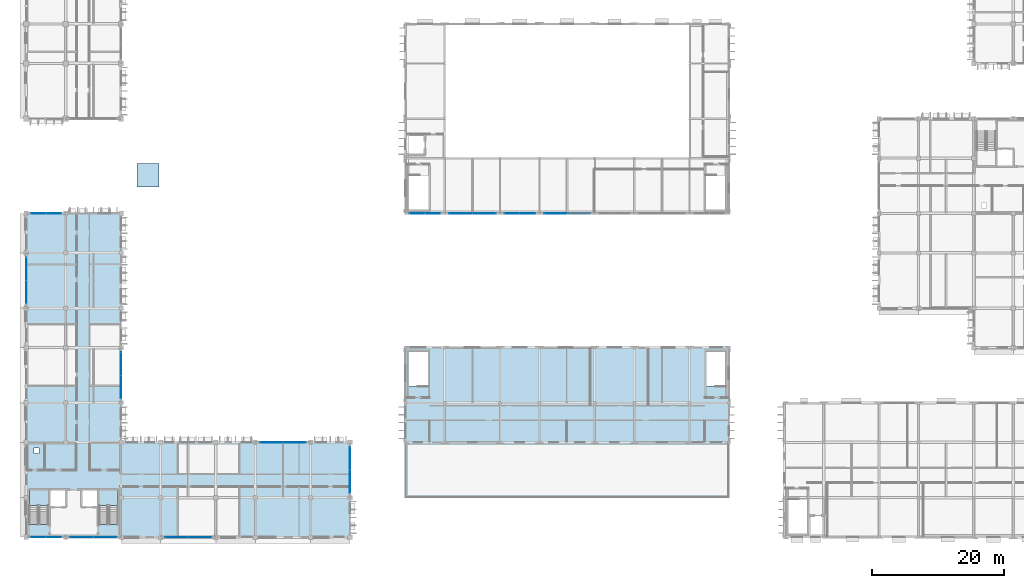
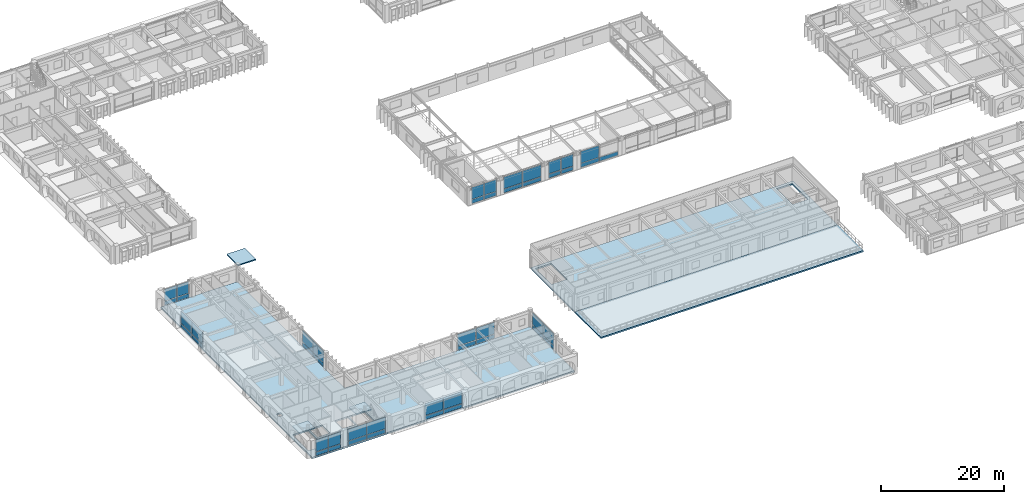
# One storey, part 42 of 88: 47 plates, 6 slabs, 14 elements without a shape of their own.
"""IFC4 building model written with IfcOpenShell, lengths in metres."""

import ifcopenshell
import ifcopenshell.guid

model = None  # the IFC model being written
_history = None  # IfcOwnerHistory: only IFC2X3 demands one
_inside = {}  # id of a spatial element -> (the spatial element, [elements in it])
_under = {}  # id of a project, library or spatial element -> (it, [spatial elements below it])
_declared = {}  # id of a project -> (the project, [libraries it declares])
_typed = {}  # id of a type object -> (the type object, [elements of that type])
_made_of = {}  # id of a material, layer set ... -> (it, [elements and type objects made of it])


def new_model(schema):
    """Start an empty IFC model of exactly this schema.

    Asked for "IFC4X3", IfcOpenShell would pick the latest addendum, in which some entities
    have other attributes; the version numbers below select the first issue.
    IFC2X3 requires an IfcOwnerHistory on every rooted entity: one is made here for all.
    """
    global model, _history
    if schema == "IFC4X3":
        model = ifcopenshell.file(schema_version=(4, 3, 0, 0))
    else:
        model = ifcopenshell.file(schema=schema)
    _inside.clear()
    _under.clear()
    _declared.clear()
    _typed.clear()
    _made_of.clear()
    _history = None
    if model.schema == "IFC2X3":
        org = make("IfcOrganization", Name="unknown")
        user = make(
            "IfcPersonAndOrganization",
            ThePerson=make("IfcPerson", FamilyName="unknown"),
            TheOrganization=org,
        )
        app = make(
            "IfcApplication",
            ApplicationDeveloper=org,
            Version="unknown",
            ApplicationFullName="unknown",
            ApplicationIdentifier="unknown",
        )
        _history = make(
            "IfcOwnerHistory",
            OwningUser=user,
            OwningApplication=app,
            ChangeAction="ADDED",
            CreationDate=0,
        )
    return model


def make(cls, **values):
    """One entity of the class cls with the attributes given. An attribute that is None is left unset."""
    return model.create_entity(
        cls, **{name: value for name, value in values.items() if value is not None}
    )


def rooted(cls, **values):
    """An entity with a GlobalId (a new one), such as an element, a storey or a relation."""
    return make(cls, GlobalId=ifcopenshell.guid.new(), OwnerHistory=_history, **values)


def si_unit(unit_type, name, prefix=None):
    """IfcSIUnit, for example si_unit("LENGTHUNIT", "METRE", prefix="MILLI")."""
    return make("IfcSIUnit", UnitType=unit_type, Prefix=prefix, Name=name)


def assignment(units):
    """IfcUnitAssignment: the units of a project."""
    return None if units is None else make("IfcUnitAssignment", Units=units)


def point(xyz):
    """IfcCartesianPoint."""
    return None if xyz is None else make("IfcCartesianPoint", Coordinates=xyz)


def direction(xyz):
    """IfcDirection."""
    return None if xyz is None else make("IfcDirection", DirectionRatios=xyz)


def frame(location, z_axis=None, x_axis=None):
    """IfcAxis2Placement3D, a coordinate frame: its origin and axes. An axis left out is left unset."""
    return make(
        "IfcAxis2Placement3D",
        Location=point(location),
        Axis=direction(z_axis),
        RefDirection=direction(x_axis),
    )


def frame_2d(location, x_axis=None):
    """IfcAxis2Placement2D, a coordinate frame in the plane: its origin and x axis."""
    return make(
        "IfcAxis2Placement2D", Location=point(location), RefDirection=direction(x_axis)
    )


def origin():
    """The frame at (0, 0, 0) with its axes left unset."""
    return frame((0.0, 0.0, 0.0))


def origin_2d():
    """The frame at (0, 0) in the plane with its x axis left unset."""
    return frame_2d((0.0, 0.0))


def place(relative_to, where):
    """IfcLocalPlacement: puts the frame where relative to a parent placement (None: the world)."""
    return make(
        "IfcLocalPlacement", PlacementRelTo=relative_to, RelativePlacement=where
    )


def context(
    kind, dimensions, precision=None, world=None, true_north=None, identifier=None
):
    """IfcGeometricRepresentationContext, for example the 3D "Model" context."""
    return make(
        "IfcGeometricRepresentationContext",
        ContextIdentifier=identifier,
        ContextType=kind,
        CoordinateSpaceDimension=dimensions,
        Precision=precision,
        WorldCoordinateSystem=world,
        TrueNorth=true_north,
    )


def subcontext(parent, identifier, kind, view, scale=None):
    """IfcGeometricRepresentationSubContext, for example "Body" below "Model"."""
    return make(
        "IfcGeometricRepresentationSubContext",
        ContextIdentifier=identifier,
        ContextType=kind,
        ParentContext=parent,
        TargetScale=scale,
        TargetView=view,
    )


def project(units=None, contexts=None):
    """IfcProject with its units and contexts."""
    return rooted(
        "IfcProject",
        Name="project",
        RepresentationContexts=contexts,
        UnitsInContext=assignment(units),
    )


def spatial(cls, under=None, at=None, **own):
    """A site, building, storey or space (cls), placed at a placement, below another one or the project."""
    s = rooted(cls, ObjectPlacement=at, **own)
    if under is not None:
        _under.setdefault(under.id(), (under, []))[1].append(s)
    return s


def polyline(points):
    """IfcPolyline through the points."""
    return make("IfcPolyline", Points=[point(p) for p in points])


def profile(cls, at=None, kind="AREA", **sizes):
    """A parametric profile (cls). Its sizes go by their IFC names, for example OverallWidth=200.0."""
    return make(cls, ProfileType=kind, Position=at, **sizes)


def rectangle(**sizes):
    """IfcRectangleProfileDef."""
    return profile("IfcRectangleProfileDef", **sizes)


def outline(outer, holes=None, kind="AREA"):
    """IfcArbitraryClosedProfileDef: a profile drawn as a closed curve; with holes, ...WithVoids."""
    if holes is None:
        return make("IfcArbitraryClosedProfileDef", ProfileType=kind, OuterCurve=outer)
    return make(
        "IfcArbitraryProfileDefWithVoids",
        ProfileType=kind,
        OuterCurve=outer,
        InnerCurves=holes,
    )


def extrude(swept, where, along, depth):
    """IfcExtrudedAreaSolid: the profile swept, set in the frame where, extruded along a direction by depth."""
    return make(
        "IfcExtrudedAreaSolid",
        SweptArea=swept,
        Position=where,
        ExtrudedDirection=direction(along),
        Depth=depth,
    )


def shape(context_of_items, identifier, shape_type, items):
    """IfcShapeRepresentation: the items that make up one representation, for example the "Body"."""
    return make(
        "IfcShapeRepresentation",
        ContextOfItems=context_of_items,
        RepresentationIdentifier=identifier,
        RepresentationType=shape_type,
        Items=items,
    )


def material(Name=None, Category=None):
    """IfcMaterial."""
    return make("IfcMaterial", Name=Name, Category=Category)


def layer(
    of_material, thickness, ventilated=None, Name=None, Category=None, Priority=None
):
    """IfcMaterialLayer: one layer of a wall or slab, of a material (None: an air gap)."""
    return make(
        "IfcMaterialLayer",
        Material=of_material,
        LayerThickness=thickness,
        IsVentilated=ventilated,
        Name=Name,
        Category=Category,
        Priority=Priority,
    )


def layer_set(layers, Name=None):
    """IfcMaterialLayerSet."""
    return make("IfcMaterialLayerSet", MaterialLayers=layers, LayerSetName=Name)


def made_of(thing, what):
    """Note that an element or type object is made of a material, layer set ...; save() writes the relation."""
    if what is not None:
        _made_of.setdefault(what.id(), (what, []))[1].append(thing)
    return thing


def type_object(cls, material=None, **own):
    """A type object (cls), such as IfcWallType, which elements share."""
    return made_of(rooted(cls, **own), material)


def element(
    cls,
    number,
    at=None,
    inside=None,
    cuts=None,
    type_object=None,
    material=None,
    context=None,
    identifier="Body",
    shape_type=None,
    held_by="IfcProductDefinitionShape",
    body=None,
    shapes=None,
    **own,
):
    """One element of the class cls, such as IfcWall. Its Tag is "e" and its number.

    at: its placement. inside: the storey or other place that contains it. cuts: it is an
    opening in that element (IfcRelVoidsElement). A single representation is given by context,
    identifier, shape_type and body (its items); several are given by shapes. held_by: the class
    of the entity that holds the representations. save() writes the other relations.
    """
    e = rooted(cls, Tag="e%d" % number, ObjectPlacement=at, **own)
    if body is not None:
        shapes = [shape(context, identifier, shape_type, body)]
    if shapes is not None:
        e.Representation = make(held_by, Representations=shapes)
    if inside is not None:
        _inside.setdefault(inside.id(), (inside, []))[1].append(e)
    if cuts is not None:
        rooted(
            "IfcRelVoidsElement", RelatingBuildingElement=cuts, RelatedOpeningElement=e
        )
    if type_object is not None:
        _typed.setdefault(type_object.id(), (type_object, []))[1].append(e)
    return made_of(e, material)


def aggregate(whole, parts):
    """IfcRelAggregates: a whole, such as a stair, and the parts it consists of."""
    return rooted("IfcRelAggregates", RelatingObject=whole, RelatedObjects=parts)


def save(model, path):
    """Write the relations noted so far, then the file.

    IfcRelAggregates (storeys below a building ...), IfcRelContainedInSpatialStructure (elements
    in a storey), IfcRelDefinesByType, IfcRelAssociatesMaterial and IfcRelDeclares: one each for
    every whole, place, type object, material and project.
    """
    for whole, parts in _under.values():
        aggregate(whole, parts)
    for where, things in _inside.values():
        rooted(
            "IfcRelContainedInSpatialStructure",
            RelatedElements=things,
            RelatingStructure=where,
        )
    for kind, things in _typed.values():
        rooted("IfcRelDefinesByType", RelatedObjects=things, RelatingType=kind)
    for what, things in _made_of.values():
        rooted("IfcRelAssociatesMaterial", RelatedObjects=things, RelatingMaterial=what)
    for by, libraries in _declared.values():
        rooted("IfcRelDeclares", RelatingContext=by, RelatedDefinitions=libraries)
    model.write(path)


model = new_model("IFC4")

# Units and contexts
model_context = context("Model", 3, precision=1e-05, world=origin(), true_north=direction((0.0, 1.0)))
body_context = subcontext(model_context, "Body", "Model", "MODEL_VIEW")
ifc_project = project(units=[si_unit("LENGTHUNIT", "METRE"), si_unit("AREAUNIT", "SQUARE_METRE"), si_unit("VOLUMEUNIT", "CUBIC_METRE"), si_unit("PLANEANGLEUNIT", "RADIAN"), si_unit("MASSUNIT", "GRAM", prefix="KILO"), si_unit("THERMODYNAMICTEMPERATUREUNIT", "KELVIN")], contexts=[model_context])

# Site, building, storey
site_placement = place(None, origin())
site = spatial("IfcSite", under=ifc_project, at=site_placement, CompositionType="ELEMENT")
building_placement = place(site_placement, origin())
building = spatial("IfcBuilding", under=site, at=building_placement, Name="Thalorik Housing Commons", CompositionType="ELEMENT")
storey_placement = place(building_placement, frame((0.0, 0.0, 4.5)))
storey = spatial("IfcBuildingStorey", under=building, at=storey_placement, Name="L01", CompositionType="ELEMENT", Elevation=4.5)

# Curtain wall, plates
ifc_material_1 = material(Name="Anodised aluminium and solar-control low-E glass", Category="aluminium")
curtain_wall_type_1 = type_object("IfcCurtainWallType", Name="ARC-CW-LOUNGE", PredefinedType="USERDEFINED", material=ifc_material_1)
curtain_wall_1_placement = place(storey_placement, origin())
curtain_wall_1 = element("IfcCurtainWall", 1, at=curtain_wall_1_placement, inside=storey, type_object=curtain_wall_type_1, Name="L01 Curtain Wall CW-RES-L01-C-127", ObjectType="CURTAIN WALL", PredefinedType="USERDEFINED")
ifc_material_2 = material(Name="Cobalt blue enamelled aluminium spandrel panel", Category="aluminium")
ifc_layer_1 = layer(ifc_material_2, 0.0458984375, Name="Cobalt blue enamelled aluminium spandrel panel", Category="aluminium")
ifc_layer_set_1 = layer_set([ifc_layer_1], Name="Cobalt blue enamelled aluminium spandrel panel")
plate_type_1 = type_object("IfcPlateType", Name="ARC-CP-BLU-46", PredefinedType="CURTAIN_PANEL", material=ifc_layer_set_1)
plate_1_placement = place(storey_placement, frame((22.800048828125, 31.25, 0.080078125), z_axis=(0.0, 0.0, 1.0), x_axis=(0.0, 1.0, 0.0)))
plate_1 = element("IfcPlate", 2, at=plate_1_placement, type_object=plate_type_1, Name="CW-RES-L01-C-127 Spandrel Panel 1", PredefinedType="CURTAIN_PANEL", context=body_context, shape_type="SweptSolid", body=[
    extrude(rectangle(XDim=3.43994140625, YDim=0.0458984375, at=origin_2d()), origin(), (0.0, 0.0, 1.0), 0.760009765625),
])
plate_2_placement = place(storey_placement, frame((22.800048828125, 34.75, 0.080078125), z_axis=(0.0, 0.0, 1.0), x_axis=(0.0, 1.0, 0.0)))
plate_2 = element("IfcPlate", 3, at=plate_2_placement, type_object=plate_type_1, Name="CW-RES-L01-C-127 Spandrel Panel 2", PredefinedType="CURTAIN_PANEL", context=body_context, shape_type="SweptSolid", body=[
    extrude(rectangle(XDim=3.43994140625, YDim=0.0458984375, at=origin_2d()), origin(), (0.0, 0.0, 1.0), 0.760009765625),
])

curtain_wall_2_placement = place(storey_placement, origin())
curtain_wall_2 = element("IfcCurtainWall", 4, at=curtain_wall_2_placement, inside=storey, type_object=curtain_wall_type_1, Name="L01 Curtain Wall CW-RES-L01-C-133", ObjectType="CURTAIN WALL", PredefinedType="USERDEFINED")
plate_3_placement = place(storey_placement, frame((57.60009765625, 16.85009765625, 0.080078125), z_axis=(0.0, 0.0, 1.0), x_axis=(0.0, 1.0, 0.0)))
plate_3 = element("IfcPlate", 5, at=plate_3_placement, type_object=plate_type_1, Name="CW-RES-L01-C-133 Spandrel Panel 1", PredefinedType="CURTAIN_PANEL", context=body_context, shape_type="SweptSolid", body=[
    extrude(rectangle(XDim=3.43994140625, YDim=0.0458984375, at=origin_2d()), origin(), (0.0, 0.0, 1.0), 0.760009765625),
])
plate_4_placement = place(storey_placement, frame((57.60009765625, 20.35009765625, 0.080078125), z_axis=(0.0, 0.0, 1.0), x_axis=(0.0, 1.0, 0.0)))
plate_4 = element("IfcPlate", 6, at=plate_4_placement, type_object=plate_type_1, Name="CW-RES-L01-C-133 Spandrel Panel 2", PredefinedType="CURTAIN_PANEL", context=body_context, shape_type="SweptSolid", body=[
    extrude(rectangle(XDim=3.43994140625, YDim=0.0458984375, at=origin_2d()), origin(), (0.0, 0.0, 1.0), 0.760009765625),
])

curtain_wall_type_2 = type_object("IfcCurtainWallType", Name="ARC-CW-CIVIC", PredefinedType="USERDEFINED", material=ifc_material_1)
curtain_wall_3_placement = place(storey_placement, origin())
curtain_wall_3 = element("IfcCurtainWall", 7, at=curtain_wall_3_placement, inside=storey, type_object=curtain_wall_type_2, Name="L01 Curtain Wall CW-HALL-L01-214", ObjectType="CURTAIN WALL", PredefinedType="USERDEFINED")
plate_5_placement = place(storey_placement, frame((74.425048828125, 57.60009765625, 0.080078125), z_axis=(0.0, 0.0, 1.0), x_axis=(1.0, 0.0, 0.0)))
plate_5 = element("IfcPlate", 8, at=plate_5_placement, type_object=plate_type_1, Name="CW-HALL-L01-214 Spandrel Panel 1", PredefinedType="CURTAIN_PANEL", context=body_context, shape_type="SweptSolid", body=[
    extrude(rectangle(XDim=3.489990234375, YDim=0.0458984375, at=origin_2d()), origin(), (0.0, 0.0, 1.0), 0.760009765625),
])
plate_6_placement = place(storey_placement, frame((77.97509765625, 57.60009765625, 0.080078125), z_axis=(0.0, 0.0, 1.0), x_axis=(1.0, 0.0, 0.0)))
plate_6 = element("IfcPlate", 9, at=plate_6_placement, type_object=plate_type_1, Name="CW-HALL-L01-214 Spandrel Panel 2", PredefinedType="CURTAIN_PANEL", context=body_context, shape_type="SweptSolid", body=[
    extrude(rectangle(XDim=3.489990234375, YDim=0.0458984375, at=origin_2d()), origin(), (0.0, 0.0, 1.0), 0.760009765625),
])

# Plate
ifc_material_3 = material(Name="Double solar-control low-E glass", Category="glass")
ifc_layer_2 = layer(ifc_material_3, 0.028076171875, Name="Double solar-control low-E glass", Category="glass")
ifc_layer_set_2 = layer_set([ifc_layer_2], Name="Double solar-control low-E glass")
plate_type_2 = type_object("IfcPlateType", Name="ARC-CP-GLZ-28", PredefinedType="CURTAIN_PANEL", material=ifc_layer_set_2)
plate_7_placement = place(storey_placement, frame((22.800048828125, 31.25, 0.919921875), z_axis=(0.0, 0.0, 1.0), x_axis=(0.0, 1.0, 0.0)))
plate_7 = element("IfcPlate", 10, at=plate_7_placement, type_object=plate_type_2, Name="CW-RES-L01-C-127 Vision Panel 1", PredefinedType="CURTAIN_PANEL", context=body_context, shape_type="SweptSolid", body=[
    extrude(rectangle(XDim=3.43994140625, YDim=0.028076171875, at=origin_2d()), origin(), (0.0, 0.0, 1.0), 2.340087890625),
])

plate_8_placement = place(storey_placement, frame((22.800048828125, 34.75, 0.919921875), z_axis=(0.0, 0.0, 1.0), x_axis=(0.0, 1.0, 0.0)))
plate_8 = element("IfcPlate", 11, at=plate_8_placement, type_object=plate_type_2, Name="CW-RES-L01-C-127 Vision Panel 2", PredefinedType="CURTAIN_PANEL", context=body_context, shape_type="SweptSolid", body=[
    extrude(rectangle(XDim=3.43994140625, YDim=0.028076171875, at=origin_2d()), origin(), (0.0, 0.0, 1.0), 2.340087890625),
])

aggregate(curtain_wall_1, [plate_1, plate_7, plate_2, plate_8])

# Curtain wall, plates
curtain_wall_4_placement = place(storey_placement, origin())
curtain_wall_4 = element("IfcCurtainWall", 12, at=curtain_wall_4_placement, inside=storey, type_object=curtain_wall_type_1, Name="L01 Curtain Wall CW-RES-L01-C-128", ObjectType="CURTAIN WALL", PredefinedType="USERDEFINED")
plate_9_placement = place(storey_placement, frame((12.550048828125, 57.60009765625, 0.919921875), z_axis=(0.0, 0.0, 1.0), x_axis=(-1.0, 0.0, 0.0)))
plate_9 = element("IfcPlate", 13, at=plate_9_placement, type_object=plate_type_2, Name="CW-RES-L01-C-128 Vision Panel 1", PredefinedType="CURTAIN_PANEL", context=body_context, shape_type="SweptSolid", body=[
    extrude(rectangle(XDim=2.239990234375, YDim=0.028076171875, at=origin_2d()), origin(), (0.0, 0.0, 1.0), 2.340087890625),
])
plate_10_placement = place(storey_placement, frame((10.25, 57.60009765625, 0.919921875), z_axis=(0.0, 0.0, 1.0), x_axis=(-1.0, 0.0, 0.0)))
plate_10 = element("IfcPlate", 14, at=plate_10_placement, type_object=plate_type_2, Name="CW-RES-L01-C-128 Vision Panel 2", PredefinedType="CURTAIN_PANEL", context=body_context, shape_type="SweptSolid", body=[
    extrude(rectangle(XDim=2.239990234375, YDim=0.028076171875, at=origin_2d()), origin(), (0.0, 0.0, 1.0), 2.340087890625),
])

curtain_wall_5_placement = place(storey_placement, origin())
curtain_wall_5 = element("IfcCurtainWall", 15, at=curtain_wall_5_placement, inside=storey, type_object=curtain_wall_type_1, Name="L01 Curtain Wall CW-RES-L01-C-129", ObjectType="CURTAIN WALL", PredefinedType="USERDEFINED")
plate_11_placement = place(storey_placement, frame((8.39990234375, 49.14990234375, 0.919921875), z_axis=(0.0, 0.0, 1.0), x_axis=(0.0, -1.0, 0.0)))
plate_11 = element("IfcPlate", 16, at=plate_11_placement, type_object=plate_type_2, Name="CW-RES-L01-C-129 Vision Panel 1", PredefinedType="CURTAIN_PANEL", context=body_context, shape_type="SweptSolid", body=[
    extrude(rectangle(XDim=3.43994140625, YDim=0.028076171875, at=origin_2d()), origin(), (0.0, 0.0, 1.0), 2.340087890625),
])
plate_12_placement = place(storey_placement, frame((8.39990234375, 45.64990234375, 0.919921875), z_axis=(0.0, 0.0, 1.0), x_axis=(0.0, -1.0, 0.0)))
plate_12 = element("IfcPlate", 17, at=plate_12_placement, type_object=plate_type_2, Name="CW-RES-L01-C-129 Vision Panel 2", PredefinedType="CURTAIN_PANEL", context=body_context, shape_type="SweptSolid", body=[
    extrude(rectangle(XDim=3.43994140625, YDim=0.028076171875, at=origin_2d()), origin(), (0.0, 0.0, 1.0), 2.340087890625),
])

curtain_wall_type_3 = type_object("IfcCurtainWallType", Name="ARC-CW-CORE", PredefinedType="USERDEFINED", material=ifc_material_1)
curtain_wall_6_placement = place(storey_placement, origin())
curtain_wall_6 = element("IfcCurtainWall", 18, at=curtain_wall_6_placement, inside=storey, type_object=curtain_wall_type_3, Name="L01 Curtain Wall CW-CORE-L01-C-130", ObjectType="CURTAIN WALL", PredefinedType="USERDEFINED")
plate_13_placement = place(storey_placement, frame((10.22509765625, 8.39990234375, 0.919921875), z_axis=(0.0, 0.0, 1.0), x_axis=(1.0, 0.0, 0.0)))
plate_13 = element("IfcPlate", 19, at=plate_13_placement, type_object=plate_type_2, Name="CW-CORE-L01-C-130 Vision Panel 1", PredefinedType="CURTAIN_PANEL", context=body_context, shape_type="SweptSolid", body=[
    extrude(rectangle(XDim=2.2900390625, YDim=0.028076171875, at=origin_2d()), origin(), (0.0, 0.0, 1.0), 2.340087890625),
])
plate_14_placement = place(storey_placement, frame((12.574951171875, 8.39990234375, 0.919921875), z_axis=(0.0, 0.0, 1.0), x_axis=(1.0, 0.0, 0.0)))
plate_14 = element("IfcPlate", 20, at=plate_14_placement, type_object=plate_type_2, Name="CW-CORE-L01-C-130 Vision Panel 2", PredefinedType="CURTAIN_PANEL", context=body_context, shape_type="SweptSolid", body=[
    extrude(rectangle(XDim=2.2900390625, YDim=0.028076171875, at=origin_2d()), origin(), (0.0, 0.0, 1.0), 2.340087890625),
])

curtain_wall_7_placement = place(storey_placement, origin())
curtain_wall_7 = element("IfcCurtainWall", 21, at=curtain_wall_7_placement, inside=storey, type_object=curtain_wall_type_3, Name="L01 Curtain Wall CW-CORE-L01-C-131", ObjectType="CURTAIN WALL", PredefinedType="USERDEFINED")
plate_15_placement = place(storey_placement, frame((16.824951171875, 8.39990234375, 0.919921875), z_axis=(0.0, 0.0, 1.0), x_axis=(1.0, 0.0, 0.0)))
plate_15 = element("IfcPlate", 22, at=plate_15_placement, type_object=plate_type_2, Name="CW-CORE-L01-C-131 Vision Panel 1", PredefinedType="CURTAIN_PANEL", context=body_context, shape_type="SweptSolid", body=[
    extrude(rectangle(XDim=3.489990234375, YDim=0.028076171875, at=origin_2d()), origin(), (0.0, 0.0, 1.0), 2.340087890625),
])
plate_16_placement = place(storey_placement, frame((20.375, 8.39990234375, 0.919921875), z_axis=(0.0, 0.0, 1.0), x_axis=(1.0, 0.0, 0.0)))
plate_16 = element("IfcPlate", 23, at=plate_16_placement, type_object=plate_type_2, Name="CW-CORE-L01-C-131 Vision Panel 2", PredefinedType="CURTAIN_PANEL", context=body_context, shape_type="SweptSolid", body=[
    extrude(rectangle(XDim=3.489990234375, YDim=0.028076171875, at=origin_2d()), origin(), (0.0, 0.0, 1.0), 2.340087890625),
])

curtain_wall_8_placement = place(storey_placement, origin())
curtain_wall_8 = element("IfcCurtainWall", 24, at=curtain_wall_8_placement, inside=storey, type_object=curtain_wall_type_1, Name="L01 Curtain Wall CW-RES-L01-C-132", ObjectType="CURTAIN WALL", PredefinedType="USERDEFINED")
plate_17_placement = place(storey_placement, frame((31.25, 8.39990234375, 0.919921875), z_axis=(0.0, 0.0, 1.0), x_axis=(1.0, 0.0, 0.0)))
plate_17 = element("IfcPlate", 25, at=plate_17_placement, type_object=plate_type_2, Name="CW-RES-L01-C-132 Vision Panel 1", PredefinedType="CURTAIN_PANEL", context=body_context, shape_type="SweptSolid", body=[
    extrude(rectangle(XDim=3.43994140625, YDim=0.028076171875, at=origin_2d()), origin(), (0.0, 0.0, 1.0), 2.340087890625),
])
plate_18_placement = place(storey_placement, frame((34.75, 8.39990234375, 0.919921875), z_axis=(0.0, 0.0, 1.0), x_axis=(1.0, 0.0, 0.0)))
plate_18 = element("IfcPlate", 26, at=plate_18_placement, type_object=plate_type_2, Name="CW-RES-L01-C-132 Vision Panel 2", PredefinedType="CURTAIN_PANEL", context=body_context, shape_type="SweptSolid", body=[
    extrude(rectangle(XDim=3.43994140625, YDim=0.028076171875, at=origin_2d()), origin(), (0.0, 0.0, 1.0), 2.340087890625),
])

# Plate
plate_19_placement = place(storey_placement, frame((57.60009765625, 16.85009765625, 0.919921875), z_axis=(0.0, 0.0, 1.0), x_axis=(0.0, 1.0, 0.0)))
plate_19 = element("IfcPlate", 27, at=plate_19_placement, type_object=plate_type_2, Name="CW-RES-L01-C-133 Vision Panel 1", PredefinedType="CURTAIN_PANEL", context=body_context, shape_type="SweptSolid", body=[
    extrude(rectangle(XDim=3.43994140625, YDim=0.028076171875, at=origin_2d()), origin(), (0.0, 0.0, 1.0), 2.340087890625),
])

plate_20_placement = place(storey_placement, frame((57.60009765625, 20.35009765625, 0.919921875), z_axis=(0.0, 0.0, 1.0), x_axis=(0.0, 1.0, 0.0)))
plate_20 = element("IfcPlate", 28, at=plate_20_placement, type_object=plate_type_2, Name="CW-RES-L01-C-133 Vision Panel 2", PredefinedType="CURTAIN_PANEL", context=body_context, shape_type="SweptSolid", body=[
    extrude(rectangle(XDim=3.43994140625, YDim=0.028076171875, at=origin_2d()), origin(), (0.0, 0.0, 1.0), 2.340087890625),
])

aggregate(curtain_wall_2, [plate_3, plate_19, plate_4, plate_20])

# Curtain wall, plates
curtain_wall_9_placement = place(storey_placement, origin())
curtain_wall_9 = element("IfcCurtainWall", 29, at=curtain_wall_9_placement, inside=storey, type_object=curtain_wall_type_1, Name="L01 Curtain Wall CW-RES-L01-C-134", ObjectType="CURTAIN WALL", PredefinedType="USERDEFINED")
plate_21_placement = place(storey_placement, frame((49.14990234375, 22.800048828125, 0.919921875), z_axis=(0.0, 0.0, 1.0), x_axis=(-1.0, 0.0, 0.0)))
plate_21 = element("IfcPlate", 30, at=plate_21_placement, type_object=plate_type_2, Name="CW-RES-L01-C-134 Vision Panel 1", PredefinedType="CURTAIN_PANEL", context=body_context, shape_type="SweptSolid", body=[
    extrude(rectangle(XDim=3.43994140625, YDim=0.028076171875, at=origin_2d()), origin(), (0.0, 0.0, 1.0), 2.340087890625),
])
plate_22_placement = place(storey_placement, frame((45.64990234375, 22.800048828125, 0.919921875), z_axis=(0.0, 0.0, 1.0), x_axis=(-1.0, 0.0, 0.0)))
plate_22 = element("IfcPlate", 31, at=plate_22_placement, type_object=plate_type_2, Name="CW-RES-L01-C-134 Vision Panel 2", PredefinedType="CURTAIN_PANEL", context=body_context, shape_type="SweptSolid", body=[
    extrude(rectangle(XDim=3.43994140625, YDim=0.028076171875, at=origin_2d()), origin(), (0.0, 0.0, 1.0), 2.340087890625),
])

curtain_wall_10_placement = place(storey_placement, origin())
curtain_wall_10 = element("IfcCurtainWall", 32, at=curtain_wall_10_placement, inside=storey, type_object=curtain_wall_type_2, Name="L01 Curtain Wall CW-HALL-L01-213", ObjectType="CURTAIN WALL", PredefinedType="USERDEFINED")
ifc_material_4 = material(Name="Acoustic laminated solar-control glass", Category="glass")
ifc_layer_3 = layer(ifc_material_4, 0.031982421875, Name="Acoustic laminated solar-control glass", Category="glass")
ifc_layer_set_3 = layer_set([ifc_layer_3], Name="Acoustic laminated solar-control glass")
plate_type_3 = type_object("IfcPlateType", Name="ARC-CP-GLZ-32", PredefinedType="CURTAIN_PANEL", material=ifc_layer_set_3)
plate_23_placement = place(storey_placement, frame((67.824951171875, 57.60009765625, 0.919921875), z_axis=(0.0, 0.0, 1.0), x_axis=(1.0, 0.0, 0.0)))
plate_23 = element("IfcPlate", 33, at=plate_23_placement, type_object=plate_type_3, Name="CW-HALL-L01-213 Vision Panel 1", PredefinedType="CURTAIN_PANEL", context=body_context, shape_type="SweptSolid", body=[
    extrude(rectangle(XDim=2.2900390625, YDim=0.031982421875, at=origin_2d()), origin(), (0.0, 0.0, 1.0), 2.340087890625),
])
plate_24_placement = place(storey_placement, frame((70.175048828125, 57.60009765625, 0.919921875), z_axis=(0.0, 0.0, 1.0), x_axis=(1.0, 0.0, 0.0)))
plate_24 = element("IfcPlate", 34, at=plate_24_placement, type_object=plate_type_3, Name="CW-HALL-L01-213 Vision Panel 2", PredefinedType="CURTAIN_PANEL", context=body_context, shape_type="SweptSolid", body=[
    extrude(rectangle(XDim=2.2900390625, YDim=0.031982421875, at=origin_2d()), origin(), (0.0, 0.0, 1.0), 2.340087890625),
])

# Plate
plate_25_placement = place(storey_placement, frame((74.425048828125, 57.60009765625, 0.919921875), z_axis=(0.0, 0.0, 1.0), x_axis=(1.0, 0.0, 0.0)))
plate_25 = element("IfcPlate", 35, at=plate_25_placement, type_object=plate_type_3, Name="CW-HALL-L01-214 Vision Panel 1", PredefinedType="CURTAIN_PANEL", context=body_context, shape_type="SweptSolid", body=[
    extrude(rectangle(XDim=3.489990234375, YDim=0.031982421875, at=origin_2d()), origin(), (0.0, 0.0, 1.0), 2.340087890625),
])

plate_26_placement = place(storey_placement, frame((77.97509765625, 57.60009765625, 0.919921875), z_axis=(0.0, 0.0, 1.0), x_axis=(1.0, 0.0, 0.0)))
plate_26 = element("IfcPlate", 36, at=plate_26_placement, type_object=plate_type_3, Name="CW-HALL-L01-214 Vision Panel 2", PredefinedType="CURTAIN_PANEL", context=body_context, shape_type="SweptSolid", body=[
    extrude(rectangle(XDim=3.489990234375, YDim=0.031982421875, at=origin_2d()), origin(), (0.0, 0.0, 1.0), 2.340087890625),
])

aggregate(curtain_wall_3, [plate_5, plate_25, plate_6, plate_26])

# Curtain wall, plates
curtain_wall_11_placement = place(storey_placement, origin())
curtain_wall_11 = element("IfcCurtainWall", 37, at=curtain_wall_11_placement, inside=storey, type_object=curtain_wall_type_2, Name="L01 Curtain Wall CW-HALL-L01-215", ObjectType="CURTAIN WALL", PredefinedType="USERDEFINED")
plate_27_placement = place(storey_placement, frame((82.22509765625, 57.60009765625, 0.919921875), z_axis=(0.0, 0.0, 1.0), x_axis=(1.0, 0.0, 0.0)))
plate_27 = element("IfcPlate", 38, at=plate_27_placement, type_object=plate_type_3, Name="CW-HALL-L01-215 Vision Panel 1", PredefinedType="CURTAIN_PANEL", context=body_context, shape_type="SweptSolid", body=[
    extrude(rectangle(XDim=2.2900390625, YDim=0.031982421875, at=origin_2d()), origin(), (0.0, 0.0, 1.0), 2.340087890625),
])
plate_28_placement = place(storey_placement, frame((84.574951171875, 57.60009765625, 0.919921875), z_axis=(0.0, 0.0, 1.0), x_axis=(1.0, 0.0, 0.0)))
plate_28 = element("IfcPlate", 39, at=plate_28_placement, type_object=plate_type_3, Name="CW-HALL-L01-215 Vision Panel 2", PredefinedType="CURTAIN_PANEL", context=body_context, shape_type="SweptSolid", body=[
    extrude(rectangle(XDim=2.2900390625, YDim=0.031982421875, at=origin_2d()), origin(), (0.0, 0.0, 1.0), 2.340087890625),
])

# Curtain wall, plate
curtain_wall_12_placement = place(storey_placement, origin())
curtain_wall_12 = element("IfcCurtainWall", 40, at=curtain_wall_12_placement, inside=storey, type_object=curtain_wall_type_2, Name="L01 Curtain Wall CW-HALL-L01-216", ObjectType="CURTAIN WALL", PredefinedType="USERDEFINED")
plate_29_placement = place(storey_placement, frame((88.824951171875, 57.60009765625, 0.919921875), z_axis=(0.0, 0.0, 1.0), x_axis=(1.0, 0.0, 0.0)))
plate_29 = element("IfcPlate", 41, at=plate_29_placement, type_object=plate_type_3, Name="CW-HALL-L01-216 Vision Panel 1", PredefinedType="CURTAIN_PANEL", context=body_context, shape_type="SweptSolid", body=[
    extrude(rectangle(XDim=3.489990234375, YDim=0.031982421875, at=origin_2d()), origin(), (0.0, 0.0, 1.0), 2.340087890625),
])

# Plate
ifc_material_5 = material(Name="Oxide red enamelled aluminium spandrel panel", Category="aluminium")
ifc_layer_4 = layer(ifc_material_5, 0.0419921875, Name="Oxide red enamelled aluminium spandrel panel", Category="aluminium")
ifc_layer_set_4 = layer_set([ifc_layer_4], Name="Oxide red enamelled aluminium spandrel panel")
plate_type_4 = type_object("IfcPlateType", Name="ARC-CP-RED-42", PredefinedType="CURTAIN_PANEL", material=ifc_layer_set_4)
plate_30_placement = place(storey_placement, frame((12.550048828125, 57.60009765625, 0.080078125), z_axis=(0.0, 0.0, 1.0), x_axis=(-1.0, 0.0, 0.0)))
plate_30 = element("IfcPlate", 42, at=plate_30_placement, type_object=plate_type_4, Name="CW-RES-L01-C-128 Spandrel Panel 1", PredefinedType="CURTAIN_PANEL", context=body_context, shape_type="SweptSolid", body=[
    extrude(rectangle(XDim=2.239990234375, YDim=0.0419921875, at=origin_2d()), origin(), (0.0, 0.0, 1.0), 0.760009765625),
])

plate_31_placement = place(storey_placement, frame((10.25, 57.60009765625, 0.080078125), z_axis=(0.0, 0.0, 1.0), x_axis=(-1.0, 0.0, 0.0)))
plate_31 = element("IfcPlate", 43, at=plate_31_placement, type_object=plate_type_4, Name="CW-RES-L01-C-128 Spandrel Panel 2", PredefinedType="CURTAIN_PANEL", context=body_context, shape_type="SweptSolid", body=[
    extrude(rectangle(XDim=2.239990234375, YDim=0.0419921875, at=origin_2d()), origin(), (0.0, 0.0, 1.0), 0.760009765625),
])

aggregate(curtain_wall_4, [plate_30, plate_9, plate_31, plate_10])

plate_32_placement = place(storey_placement, frame((16.824951171875, 8.39990234375, 0.080078125), z_axis=(0.0, 0.0, 1.0), x_axis=(1.0, 0.0, 0.0)))
plate_32 = element("IfcPlate", 44, at=plate_32_placement, type_object=plate_type_4, Name="CW-CORE-L01-C-131 Spandrel Panel 1", PredefinedType="CURTAIN_PANEL", context=body_context, shape_type="SweptSolid", body=[
    extrude(rectangle(XDim=3.489990234375, YDim=0.0419921875, at=origin_2d()), origin(), (0.0, 0.0, 1.0), 0.760009765625),
])

plate_33_placement = place(storey_placement, frame((20.375, 8.39990234375, 0.080078125), z_axis=(0.0, 0.0, 1.0), x_axis=(1.0, 0.0, 0.0)))
plate_33 = element("IfcPlate", 45, at=plate_33_placement, type_object=plate_type_4, Name="CW-CORE-L01-C-131 Spandrel Panel 2", PredefinedType="CURTAIN_PANEL", context=body_context, shape_type="SweptSolid", body=[
    extrude(rectangle(XDim=3.489990234375, YDim=0.0419921875, at=origin_2d()), origin(), (0.0, 0.0, 1.0), 0.760009765625),
])

aggregate(curtain_wall_7, [plate_32, plate_15, plate_33, plate_16])

plate_34_placement = place(storey_placement, frame((49.14990234375, 22.800048828125, 0.080078125), z_axis=(0.0, 0.0, 1.0), x_axis=(-1.0, 0.0, 0.0)))
plate_34 = element("IfcPlate", 46, at=plate_34_placement, type_object=plate_type_4, Name="CW-RES-L01-C-134 Spandrel Panel 1", PredefinedType="CURTAIN_PANEL", context=body_context, shape_type="SweptSolid", body=[
    extrude(rectangle(XDim=3.43994140625, YDim=0.0419921875, at=origin_2d()), origin(), (0.0, 0.0, 1.0), 0.760009765625),
])

plate_35_placement = place(storey_placement, frame((45.64990234375, 22.800048828125, 0.080078125), z_axis=(0.0, 0.0, 1.0), x_axis=(-1.0, 0.0, 0.0)))
plate_35 = element("IfcPlate", 47, at=plate_35_placement, type_object=plate_type_4, Name="CW-RES-L01-C-134 Spandrel Panel 2", PredefinedType="CURTAIN_PANEL", context=body_context, shape_type="SweptSolid", body=[
    extrude(rectangle(XDim=3.43994140625, YDim=0.0419921875, at=origin_2d()), origin(), (0.0, 0.0, 1.0), 0.760009765625),
])

aggregate(curtain_wall_9, [plate_34, plate_21, plate_35, plate_22])

plate_36_placement = place(storey_placement, frame((67.824951171875, 57.60009765625, 0.080078125), z_axis=(0.0, 0.0, 1.0), x_axis=(1.0, 0.0, 0.0)))
plate_36 = element("IfcPlate", 48, at=plate_36_placement, type_object=plate_type_4, Name="CW-HALL-L01-213 Spandrel Panel 1", PredefinedType="CURTAIN_PANEL", context=body_context, shape_type="SweptSolid", body=[
    extrude(rectangle(XDim=2.2900390625, YDim=0.0419921875, at=origin_2d()), origin(), (0.0, 0.0, 1.0), 0.760009765625),
])

plate_37_placement = place(storey_placement, frame((70.175048828125, 57.60009765625, 0.080078125), z_axis=(0.0, 0.0, 1.0), x_axis=(1.0, 0.0, 0.0)))
plate_37 = element("IfcPlate", 49, at=plate_37_placement, type_object=plate_type_4, Name="CW-HALL-L01-213 Spandrel Panel 2", PredefinedType="CURTAIN_PANEL", context=body_context, shape_type="SweptSolid", body=[
    extrude(rectangle(XDim=2.2900390625, YDim=0.0419921875, at=origin_2d()), origin(), (0.0, 0.0, 1.0), 0.760009765625),
])

aggregate(curtain_wall_10, [plate_36, plate_23, plate_37, plate_24])

plate_38_placement = place(storey_placement, frame((88.824951171875, 57.60009765625, 0.080078125), z_axis=(0.0, 0.0, 1.0), x_axis=(1.0, 0.0, 0.0)))
plate_38 = element("IfcPlate", 50, at=plate_38_placement, type_object=plate_type_4, Name="CW-HALL-L01-216 Spandrel Panel 1", PredefinedType="CURTAIN_PANEL", context=body_context, shape_type="SweptSolid", body=[
    extrude(rectangle(XDim=3.489990234375, YDim=0.0419921875, at=origin_2d()), origin(), (0.0, 0.0, 1.0), 0.760009765625),
])

plate_39_placement = place(storey_placement, frame((92.375, 57.60009765625, 0.080078125), z_axis=(0.0, 0.0, 1.0), x_axis=(1.0, 0.0, 0.0)))
plate_39 = element("IfcPlate", 51, at=plate_39_placement, type_object=plate_type_4, Name="CW-HALL-L01-216 Spandrel Panel 2", PredefinedType="CURTAIN_PANEL", context=body_context, shape_type="SweptSolid", body=[
    extrude(rectangle(XDim=3.489990234375, YDim=0.0419921875, at=origin_2d()), origin(), (0.0, 0.0, 1.0), 0.760009765625),
])

aggregate(curtain_wall_12, [plate_38, plate_29, plate_39])

ifc_material_6 = material(Name="Mineral ochre yellow aluminium spandrel panel", Category="aluminium")
ifc_layer_5 = layer(ifc_material_6, 0.050048828125, Name="Mineral ochre yellow aluminium spandrel panel", Category="aluminium")
ifc_layer_set_5 = layer_set([ifc_layer_5], Name="Mineral ochre yellow aluminium spandrel panel")
plate_type_5 = type_object("IfcPlateType", Name="ARC-CP-YEL-50", PredefinedType="CURTAIN_PANEL", material=ifc_layer_set_5)
plate_40_placement = place(storey_placement, frame((8.39990234375, 49.14990234375, 0.080078125), z_axis=(0.0, 0.0, 1.0), x_axis=(0.0, -1.0, 0.0)))
plate_40 = element("IfcPlate", 52, at=plate_40_placement, type_object=plate_type_5, Name="CW-RES-L01-C-129 Spandrel Panel 1", PredefinedType="CURTAIN_PANEL", context=body_context, shape_type="SweptSolid", body=[
    extrude(rectangle(XDim=3.43994140625, YDim=0.050048828125, at=origin_2d()), origin(), (0.0, 0.0, 1.0), 0.760009765625),
])

plate_41_placement = place(storey_placement, frame((8.39990234375, 45.64990234375, 0.080078125), z_axis=(0.0, 0.0, 1.0), x_axis=(0.0, -1.0, 0.0)))
plate_41 = element("IfcPlate", 53, at=plate_41_placement, type_object=plate_type_5, Name="CW-RES-L01-C-129 Spandrel Panel 2", PredefinedType="CURTAIN_PANEL", context=body_context, shape_type="SweptSolid", body=[
    extrude(rectangle(XDim=3.43994140625, YDim=0.050048828125, at=origin_2d()), origin(), (0.0, 0.0, 1.0), 0.760009765625),
])

aggregate(curtain_wall_5, [plate_40, plate_11, plate_41, plate_12])

plate_42_placement = place(storey_placement, frame((10.22509765625, 8.39990234375, 0.080078125), z_axis=(0.0, 0.0, 1.0), x_axis=(1.0, 0.0, 0.0)))
plate_42 = element("IfcPlate", 54, at=plate_42_placement, type_object=plate_type_5, Name="CW-CORE-L01-C-130 Spandrel Panel 1", PredefinedType="CURTAIN_PANEL", context=body_context, shape_type="SweptSolid", body=[
    extrude(rectangle(XDim=2.2900390625, YDim=0.050048828125, at=origin_2d()), origin(), (0.0, 0.0, 1.0), 0.760009765625),
])

plate_43_placement = place(storey_placement, frame((12.574951171875, 8.39990234375, 0.080078125), z_axis=(0.0, 0.0, 1.0), x_axis=(1.0, 0.0, 0.0)))
plate_43 = element("IfcPlate", 55, at=plate_43_placement, type_object=plate_type_5, Name="CW-CORE-L01-C-130 Spandrel Panel 2", PredefinedType="CURTAIN_PANEL", context=body_context, shape_type="SweptSolid", body=[
    extrude(rectangle(XDim=2.2900390625, YDim=0.050048828125, at=origin_2d()), origin(), (0.0, 0.0, 1.0), 0.760009765625),
])

aggregate(curtain_wall_6, [plate_42, plate_13, plate_43, plate_14])

plate_44_placement = place(storey_placement, frame((31.25, 8.39990234375, 0.080078125), z_axis=(0.0, 0.0, 1.0), x_axis=(1.0, 0.0, 0.0)))
plate_44 = element("IfcPlate", 56, at=plate_44_placement, type_object=plate_type_5, Name="CW-RES-L01-C-132 Spandrel Panel 1", PredefinedType="CURTAIN_PANEL", context=body_context, shape_type="SweptSolid", body=[
    extrude(rectangle(XDim=3.43994140625, YDim=0.050048828125, at=origin_2d()), origin(), (0.0, 0.0, 1.0), 0.760009765625),
])

plate_45_placement = place(storey_placement, frame((34.75, 8.39990234375, 0.080078125), z_axis=(0.0, 0.0, 1.0), x_axis=(1.0, 0.0, 0.0)))
plate_45 = element("IfcPlate", 57, at=plate_45_placement, type_object=plate_type_5, Name="CW-RES-L01-C-132 Spandrel Panel 2", PredefinedType="CURTAIN_PANEL", context=body_context, shape_type="SweptSolid", body=[
    extrude(rectangle(XDim=3.43994140625, YDim=0.050048828125, at=origin_2d()), origin(), (0.0, 0.0, 1.0), 0.760009765625),
])

aggregate(curtain_wall_8, [plate_44, plate_17, plate_45, plate_18])

plate_46_placement = place(storey_placement, frame((82.22509765625, 57.60009765625, 0.080078125), z_axis=(0.0, 0.0, 1.0), x_axis=(1.0, 0.0, 0.0)))
plate_46 = element("IfcPlate", 58, at=plate_46_placement, type_object=plate_type_5, Name="CW-HALL-L01-215 Spandrel Panel 1", PredefinedType="CURTAIN_PANEL", context=body_context, shape_type="SweptSolid", body=[
    extrude(rectangle(XDim=2.2900390625, YDim=0.050048828125, at=origin_2d()), origin(), (0.0, 0.0, 1.0), 0.760009765625),
])

plate_47_placement = place(storey_placement, frame((84.574951171875, 57.60009765625, 0.080078125), z_axis=(0.0, 0.0, 1.0), x_axis=(1.0, 0.0, 0.0)))
plate_47 = element("IfcPlate", 59, at=plate_47_placement, type_object=plate_type_5, Name="CW-HALL-L01-215 Spandrel Panel 2", PredefinedType="CURTAIN_PANEL", context=body_context, shape_type="SweptSolid", body=[
    extrude(rectangle(XDim=2.2900390625, YDim=0.050048828125, at=origin_2d()), origin(), (0.0, 0.0, 1.0), 0.760009765625),
])

aggregate(curtain_wall_11, [plate_46, plate_27, plate_47, plate_28])

# Stair, slab
ifc_material_7 = material(Name="Precast concrete C40/50", Category="concrete")
stair_type = type_object("IfcStairType", Name="ARC-STR-1350-R22", PredefinedType="HALF_TURN_STAIR", material=ifc_material_7)
stair_1_placement = place(storey_placement, origin())
stair_1 = element("IfcStair", 60, at=stair_1_placement, inside=storey, type_object=stair_type, Name="L01 Block C Smoke-Proof Stair 1", PredefinedType="HALF_TURN_STAIR")
ifc_layer_6 = layer(ifc_material_7, 0.199951171875, Name="Precast concrete C40/50", Category="concrete")
ifc_layer_set_6 = layer_set([ifc_layer_6], Name="Precast concrete C40/50")
slab_type_1 = type_object("IfcSlabType", Name="ARC-SLB-STLND-200", PredefinedType="LANDING", material=ifc_layer_set_6)
slab_1_placement = place(storey_placement, frame((0.0, 0.0, 1.60009765625)))
slab_1 = element("IfcSlab", 61, at=slab_1_placement, type_object=slab_type_1, Name="ST-C1 landing 1", PredefinedType="LANDING", context=body_context, shape_type="SweptSolid", body=[
    extrude(outline(polyline([(11.75, 13.199951171875), (11.75, 15.550048828125), (8.85009765625, 15.550048828125), (8.85009765625, 13.199951171875), (11.75, 13.199951171875)])), origin(), (0.0, 0.0, 1.0), 0.199951171875),
])
aggregate(stair_1, [slab_1])

stair_2_placement = place(storey_placement, origin())
stair_2 = element("IfcStair", 62, at=stair_2_placement, inside=storey, type_object=stair_type, Name="L01 Block C Smoke-Proof Stair 2", PredefinedType="HALF_TURN_STAIR")
slab_2_placement = place(storey_placement, frame((0.0, 0.0, 1.60009765625)))
slab_2 = element("IfcSlab", 63, at=slab_2_placement, type_object=slab_type_1, Name="ST-C2 landing 1", PredefinedType="LANDING", context=body_context, shape_type="SweptSolid", body=[
    extrude(outline(polyline([(22.35009765625, 13.199951171875), (22.35009765625, 15.550048828125), (19.449951171875, 15.550048828125), (19.449951171875, 13.199951171875), (22.35009765625, 13.199951171875)])), origin(), (0.0, 0.0, 1.0), 0.199951171875),
])
aggregate(stair_2, [slab_2])

# Slabs
ifc_material_8 = material(Name="Precast concrete C45/55", Category="concrete")
ifc_layer_7 = layer(ifc_material_8, 0.300048828125, Name="Precast concrete C45/55", Category="concrete")
ifc_layer_set_7 = layer_set([ifc_layer_7], Name="Precast concrete C45/55")
slab_type_2 = type_object("IfcSlabType", Name="STR-SLB-POD-300", PredefinedType="FLOOR", material=ifc_layer_set_7)
slab_3_placement = place(storey_placement, frame((0.0, 0.0, -0.300048828125)))
element("IfcSlab", 64, at=slab_3_placement, inside=storey, type_object=slab_type_2, Name="L01 Residential Block C Floor Slab", PredefinedType="FLOOR", context=body_context, shape_type="SweptSolid", body=[
    extrude(outline(polyline([(8.39990234375, 8.39990234375), (22.800048828125, 8.39990234375), (57.60009765625, 8.39990234375), (57.60009765625, 22.800048828125), (22.800048828125, 22.800048828125), (22.800048828125, 57.60009765625), (8.39990234375, 57.60009765625), (8.39990234375, 8.39990234375)]), holes=[polyline([(11.75, 10.35009765625), (8.85009765625, 10.35009765625), (8.85009765625, 15.550048828125), (11.75, 15.550048828125), (11.75, 10.35009765625)]), polyline([(19.449951171875, 10.35009765625), (19.449951171875, 15.550048828125), (22.35009765625, 15.550048828125), (22.35009765625, 10.35009765625), (19.449951171875, 10.35009765625)]), polyline([(14.39990234375, 15.550048828125), (14.39990234375, 13.0), (12.0, 13.0), (12.0, 15.550048828125), (14.39990234375, 15.550048828125)]), polyline([(19.199951171875, 13.0), (16.800048828125, 13.0), (16.800048828125, 15.550048828125), (19.199951171875, 15.550048828125), (19.199951171875, 13.0)]), polyline([(9.550048828125, 21.14990234375), (9.550048828125, 21.949951171875), (10.35009765625, 21.949951171875), (10.35009765625, 21.14990234375), (9.550048828125, 21.14990234375)])]), origin(), (0.0, 0.0, 1.0), 0.300048828125),
])
slab_4_placement = place(storey_placement, frame((0.0, 0.0, -0.300048828125)))
element("IfcSlab", 65, at=slab_4_placement, inside=storey, type_object=slab_type_2, Name="L01 Street Shops Mezzanine Slab", PredefinedType="FLOOR", context=body_context, shape_type="SweptSolid", body=[
    extrude(outline(polyline([(66.0, 22.800048828125), (115.199951171875, 22.800048828125), (115.199951171875, 37.199951171875), (66.0, 37.199951171875), (66.0, 22.800048828125)]), holes=[polyline([(69.449951171875, 36.60009765625), (69.449951171875, 31.39990234375), (66.550048828125, 31.39990234375), (66.550048828125, 36.60009765625), (69.449951171875, 36.60009765625)]), polyline([(114.64990234375, 31.39990234375), (111.75, 31.39990234375), (111.75, 36.60009765625), (114.64990234375, 36.60009765625), (114.64990234375, 31.39990234375)])]), origin(), (0.0, 0.0, 1.0), 0.300048828125),
])
ifc_layer_8 = layer(ifc_material_7, 0.219970703125, Name="Precast concrete C40/50", Category="concrete")
ifc_layer_set_8 = layer_set([ifc_layer_8], Name="Precast concrete C40/50")
slab_type_3 = type_object("IfcSlabType", Name="STR-SLB-ROOF-220", PredefinedType="ROOF", material=ifc_layer_set_8)
slab_5_placement = place(storey_placement, frame((0.0, 0.0, -0.219970703125)))
element("IfcSlab", 66, at=slab_5_placement, inside=storey, type_object=slab_type_3, Name="L01 Metro Lift Pavilion Roof Slab", PredefinedType="ROOF", context=body_context, shape_type="SweptSolid", body=[
    extrude(outline(polyline([(25.199951171875, 61.60009765625), (28.60009765625, 61.60009765625), (28.60009765625, 65.199951171875), (25.199951171875, 65.199951171875), (25.199951171875, 61.60009765625)])), origin(), (0.0, 0.0, 1.0), 0.219970703125),
])
ifc_layer_9 = layer(ifc_material_8, 0.280029296875, Name="Precast concrete C45/55", Category="concrete")
ifc_layer_set_9 = layer_set([ifc_layer_9], Name="Precast concrete C45/55")
slab_type_4 = type_object("IfcSlabType", Name="STR-SLB-TERR-280", PredefinedType="FLOOR", material=ifc_layer_set_9)
slab_6_placement = place(storey_placement, frame((0.0, 0.0, -0.280029296875)))
element("IfcSlab", 67, at=slab_6_placement, inside=storey, type_object=slab_type_4, Name="L01 Street Shops Podium Roof Garden Terrace", PredefinedType="FLOOR", context=body_context, shape_type="SweptSolid", body=[
    extrude(outline(polyline([(66.0, 14.39990234375), (115.199951171875, 14.39990234375), (115.199951171875, 22.800048828125), (66.0, 22.800048828125), (66.0, 14.39990234375)])), origin(), (0.0, 0.0, 1.0), 0.280029296875),
])

save(model, "model.ifc")
